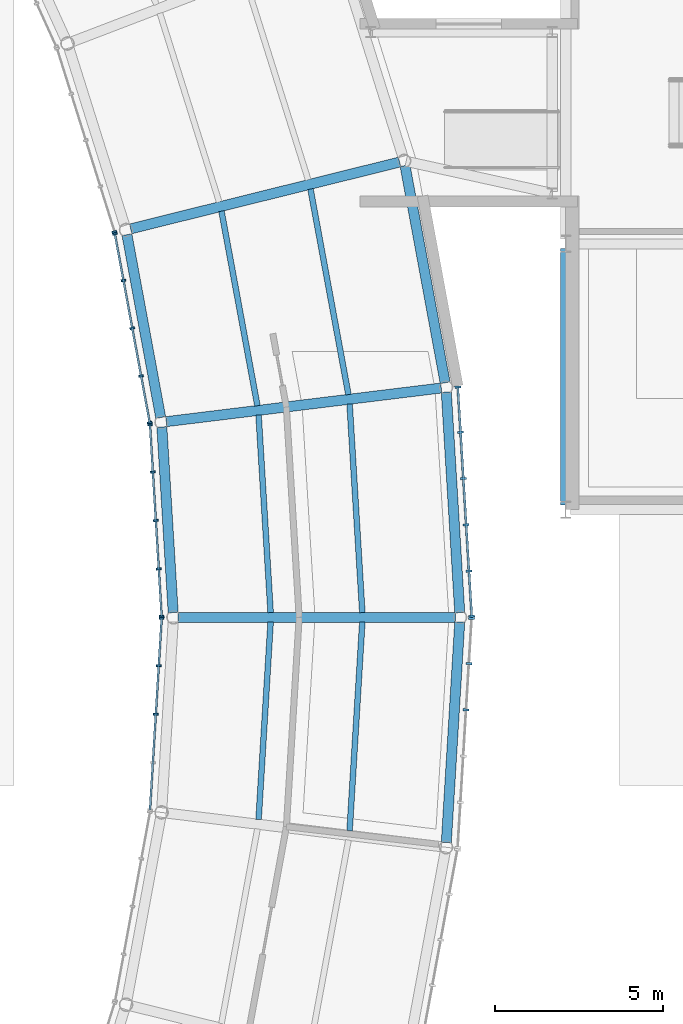
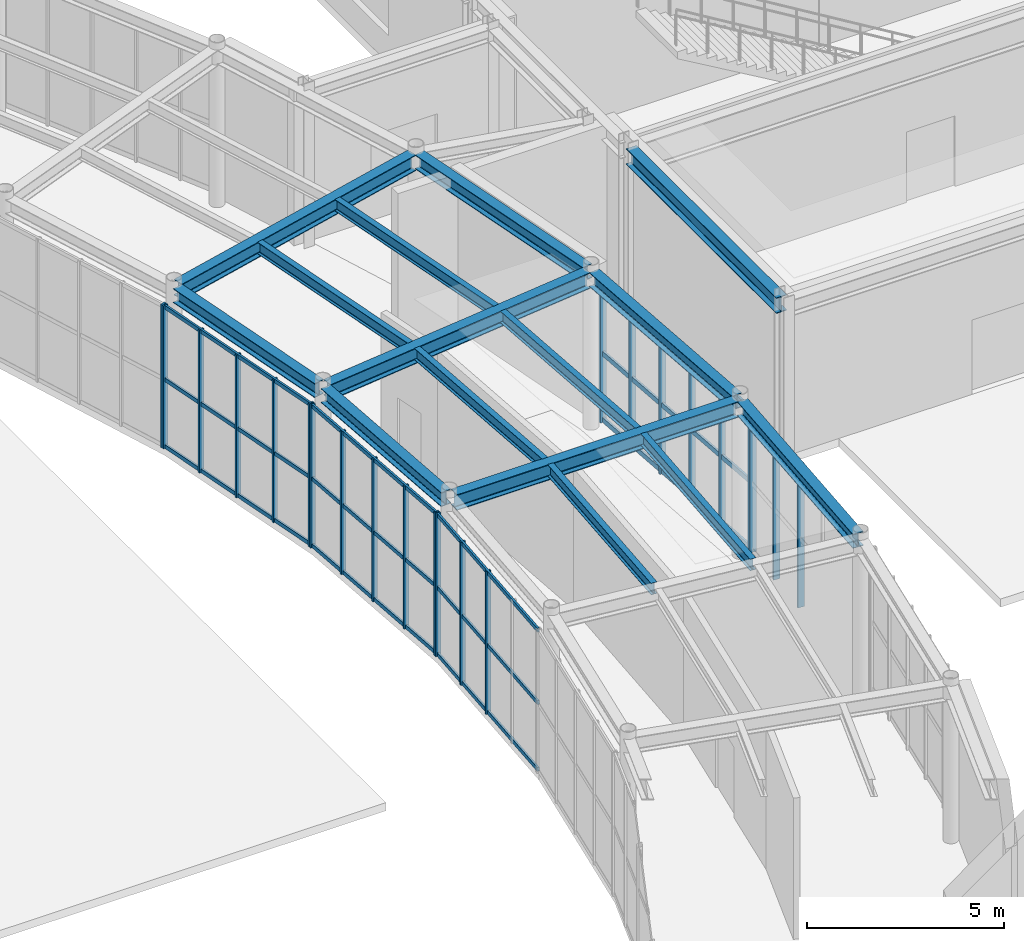
# One storey, part 38 of 97: 35 members, 15 beams, 6 elements without a shape of their own.
"""IFC4 building model written with IfcOpenShell, lengths in metres."""

from ifc_helpers import new_model, si_unit, direction, frame, origin, origin_2d, place, context, subcontext, project, spatial, rectangle, i_section, extrude, material, material_profile, profile_set, type_object, element, aggregate, save


model = new_model("IFC4")

# Units and contexts
model_context = context("Model", 3, precision=1e-05, world=origin(), true_north=direction((0.0, 1.0)))
body_context = subcontext(model_context, "Body", "Model", "MODEL_VIEW")
ifc_project = project(units=[si_unit("LENGTHUNIT", "METRE"), si_unit("AREAUNIT", "SQUARE_METRE"), si_unit("VOLUMEUNIT", "CUBIC_METRE"), si_unit("PLANEANGLEUNIT", "RADIAN"), si_unit("MASSUNIT", "GRAM", prefix="KILO")], contexts=[model_context])

# Site, building, storey
site_placement = place(None, origin())
site = spatial("IfcSite", under=ifc_project, at=site_placement, CompositionType="ELEMENT")
building_placement = place(site_placement, origin())
building = spatial("IfcBuilding", under=site, at=building_placement, Name="Varnklinge Art Gallery", CompositionType="ELEMENT")
storey_placement = place(building_placement, origin())
storey = spatial("IfcBuildingStorey", under=building, at=storey_placement, Name="L00", CompositionType="ELEMENT", Elevation=0.0)

# Beams
ifc_material_1 = material(Name="Steel S355", Category="steel")
ifc_material_profile_1 = material_profile(ifc_material_1, i_section(OverallWidth=0.300048828125, OverallDepth=0.489990234375, WebThickness=0.011962890625, FlangeThickness=0.02294921875, FilletRadius=0.027099609375, at=origin_2d()), Name="HEA 500")
ifc_profile_set_1 = profile_set([ifc_material_profile_1], Name="Steel S355")
beam_type_1 = type_object("IfcBeamType", Name="BM-07", PredefinedType="BEAM", material=ifc_profile_set_1)
for number, where, z_axis, x_axis, name in (
    (1, (111.118408203125, 55.0, 4.635009765625), (-1.0, 0.0, 0.0), (0.0, -1.0, 0.0), "L00 BM-07 BM-V2-L01-R07"),
    (2, (110.702880859375, 61.81640625, 4.635009765625), (-0.992595580805, -0.121466098009, 0.0), (0.121466098009, -0.992595580805, 0.0), "L00 BM-07 BM-V2-L01-R08"),
):
    element("IfcBeam", number, at=place(storey_placement, frame(where, z_axis=z_axis, x_axis=x_axis)), inside=storey, type_object=beam_type_1, Name=name, PredefinedType="BEAM", context=body_context, shape_type="SweptSolid", body=[
        extrude(i_section(OverallWidth=0.300048828125, OverallDepth=0.489990234375, WebThickness=0.011962890625, FlangeThickness=0.02294921875, FilletRadius=0.027099609375, at=origin_2d()), origin(), (0.0, 0.0, 1.0), 8.23681640625),
    ])
beam_1_placement = place(storey_placement, frame((109.46240234375, 68.531982421875, 4.635009765625), z_axis=(-0.970493677731, -0.241126567355, 0.0), x_axis=(0.241126567355, -0.970493677731, 0.0)))
element("IfcBeam", 3, at=beam_1_placement, inside=storey, type_object=beam_type_1, Name="L00 BM-07 BM-V2-L01-R09", PredefinedType="BEAM", context=body_context, shape_type="SweptSolid", body=[
    extrude(i_section(OverallWidth=0.300048828125, OverallDepth=0.489990234375, WebThickness=0.011962890625, FlangeThickness=0.02294921875, FilletRadius=0.027099609375, at=origin_2d()), origin(), (0.0, 0.0, 1.0), 8.236572265625),
])
ifc_material_2 = material(Name="Steel S355", Category="steel")
ifc_material_profile_2 = material_profile(ifc_material_2, i_section(OverallWidth=0.169921875, OverallDepth=0.360107421875, WebThickness=0.008056640625, FlangeThickness=0.0126953125, FilletRadius=0.01806640625, at=origin_2d()), Name="IPE 360")
ifc_profile_set_2 = profile_set([ifc_material_profile_2], Name="Steel S355")
beam_type_2 = type_object("IfcBeamType", Name="JST-06", PredefinedType="JOIST", material=ifc_profile_set_2)
beam_2_placement = place(storey_placement, frame((107.976318359375, 48.657958984375, 4.699951171875), z_axis=(0.060820084919, 0.998148745063, 0.0), x_axis=(-0.998148745063, 0.060820084919, 0.0)))
element("IfcBeam", 4, at=beam_2_placement, inside=storey, type_object=beam_type_2, Name="L00 JST-06 JST-V2-L01-06-1", PredefinedType="JOIST", context=body_context, shape_type="SweptSolid", body=[
    extrude(i_section(OverallWidth=0.169921875, OverallDepth=0.360107421875, WebThickness=0.008056640625, FlangeThickness=0.0126953125, FilletRadius=0.01806640625, at=origin_2d()), origin(), (0.0, 0.0, 1.0), 6.2138671875),
])
beam_3_placement = place(storey_placement, frame((105.27099609375, 48.989013671875, 4.699951171875), z_axis=(0.060845929193, 0.998147169961, 0.0), x_axis=(-0.998147169961, 0.060845929193, 0.0)))
element("IfcBeam", 5, at=beam_3_placement, inside=storey, type_object=beam_type_2, Name="L00 JST-06 JST-V2-L01-06-2", PredefinedType="JOIST", context=body_context, shape_type="SweptSolid", body=[
    extrude(i_section(OverallWidth=0.169921875, OverallDepth=0.360107421875, WebThickness=0.008056640625, FlangeThickness=0.0126953125, FilletRadius=0.01806640625, at=origin_2d()), origin(), (0.0, 0.0, 1.0), 5.88232421875),
])
beam_4_placement = place(storey_placement, frame((108.354248046875, 55.1396484375, 4.699951171875), z_axis=(-0.060820084919, 0.998148745063, 0.0), x_axis=(-0.998148745063, -0.060820084919, 0.0)))
element("IfcBeam", 6, at=beam_4_placement, inside=storey, type_object=beam_type_2, Name="L00 JST-06 JST-V2-L01-07-1", PredefinedType="JOIST", context=body_context, shape_type="SweptSolid", body=[
    extrude(i_section(OverallWidth=0.169921875, OverallDepth=0.360107421875, WebThickness=0.008056640625, FlangeThickness=0.0126953125, FilletRadius=0.01806640625, at=origin_2d()), origin(), (0.0, 0.0, 1.0), 6.2138671875),
])
beam_5_placement = place(storey_placement, frame((105.62890625, 55.1396484375, 4.699951171875), z_axis=(-0.060845929193, 0.998147169961, 0.0), x_axis=(-0.998147169961, -0.060845929193, 0.0)))
element("IfcBeam", 7, at=beam_5_placement, inside=storey, type_object=beam_type_2, Name="L00 JST-06 JST-V2-L01-07-2", PredefinedType="JOIST", context=body_context, shape_type="SweptSolid", body=[
    extrude(i_section(OverallWidth=0.169921875, OverallDepth=0.360107421875, WebThickness=0.008056640625, FlangeThickness=0.0126953125, FilletRadius=0.01806640625, at=origin_2d()), origin(), (0.0, 0.0, 1.0), 5.88232421875),
])
beam_6_placement = place(storey_placement, frame((107.942138671875, 61.619384765625, 4.699951171875), z_axis=(-0.181640421722, 0.983365017273, 0.0), x_axis=(-0.983365017273, -0.181640421722, 0.0)))
element("IfcBeam", 8, at=beam_6_placement, inside=storey, type_object=beam_type_2, Name="L00 JST-06 JST-V2-L01-08-1", PredefinedType="JOIST", context=body_context, shape_type="SweptSolid", body=[
    extrude(i_section(OverallWidth=0.169921875, OverallDepth=0.360107421875, WebThickness=0.008056640625, FlangeThickness=0.0126953125, FilletRadius=0.01806640625, at=origin_2d()), origin(), (0.0, 0.0, 1.0), 6.213623046875),
])
beam_7_placement = place(storey_placement, frame((105.23681640625, 61.288330078125, 4.699951171875), z_axis=(-0.181631460363, 0.983366672512, 0.0), x_axis=(-0.983366672512, -0.181631460363, 0.0)))
element("IfcBeam", 9, at=beam_7_placement, inside=storey, type_object=beam_type_2, Name="L00 JST-06 JST-V2-L01-08-2", PredefinedType="JOIST", context=body_context, shape_type="SweptSolid", body=[
    extrude(i_section(OverallWidth=0.169921875, OverallDepth=0.360107421875, WebThickness=0.008056640625, FlangeThickness=0.0126953125, FilletRadius=0.01806640625, at=origin_2d()), origin(), (0.0, 0.0, 1.0), 5.882080078125),
])

# Curtain wall, members
ifc_material_3 = material(Name="Anodised Aluminium", Category="aluminium")
curtain_wall_type_1 = type_object("IfcCurtainWallType", Name="CW-R01", PredefinedType="USERDEFINED", material=ifc_material_3)
curtain_wall_1_placement = place(storey_placement, origin())
curtain_wall_1 = element("IfcCurtainWall", 10, at=curtain_wall_1_placement, inside=storey, type_object=curtain_wall_type_1, Name="L00 Curtain Wall CW-V2O-L00-06", ObjectType="UNITISED CURTAIN WALL", PredefinedType="USERDEFINED")
ifc_material_4 = material(Name="Anodised Aluminium", Category="aluminium")
ifc_material_profile_3 = material_profile(ifc_material_4, rectangle(XDim=0.06494140625, YDim=0.179931640625, at=origin_2d()), Name="ALU 65x180")
ifc_profile_set_3 = profile_set([ifc_material_profile_3], Name="Anodised Aluminium")
member_type_1 = type_object("IfcMemberType", Name="MUL-01", PredefinedType="MULLION", material=ifc_profile_set_3)
member_1_placement = place(storey_placement, frame((111.44091796875, 52.24951171875, 0.0), z_axis=(0.0, 0.0, 1.0), x_axis=(0.06087433122, 0.9981454382, 0.0)))
member_1 = element("IfcMember", 11, at=member_1_placement, type_object=member_type_1, Name="CW-V2O-L00-06 Mullion 4", PredefinedType="MULLION", context=body_context, shape_type="SweptSolid", body=[
    extrude(rectangle(XDim=0.06494140625, YDim=0.179931640625, at=origin_2d()), origin(), (0.0, 0.0, 1.0), 4.429931640625),
])
member_2_placement = place(storey_placement, frame((111.524658203125, 53.624755859375, 0.0), z_axis=(0.0, 0.0, 1.0), x_axis=(0.06087433122, 0.9981454382, 0.0)))
member_2 = element("IfcMember", 12, at=member_2_placement, type_object=member_type_1, Name="CW-V2O-L00-06 Mullion 5", PredefinedType="MULLION", context=body_context, shape_type="SweptSolid", body=[
    extrude(rectangle(XDim=0.06494140625, YDim=0.179931640625, at=origin_2d()), origin(), (0.0, 0.0, 1.0), 4.429931640625),
])
member_3_placement = place(storey_placement, frame((111.6064453125, 54.967529296875, 0.0), z_axis=(0.0, 0.0, 1.0), x_axis=(0.06087433122, 0.9981454382, 0.0)))
member_3 = element("IfcMember", 13, at=member_3_placement, type_object=member_type_1, Name="CW-V2O-L00-06 Mullion 6", PredefinedType="MULLION", context=body_context, shape_type="SweptSolid", body=[
    extrude(rectangle(XDim=0.06494140625, YDim=0.179931640625, at=origin_2d()), origin(), (0.0, 0.0, 1.0), 4.429931640625),
])
aggregate(curtain_wall_1, [member_1, member_2, member_3])

curtain_wall_2_placement = place(storey_placement, origin())
curtain_wall_2 = element("IfcCurtainWall", 14, at=curtain_wall_2_placement, inside=storey, type_object=curtain_wall_type_1, Name="L00 Curtain Wall CW-V2O-L00-07", ObjectType="UNITISED CURTAIN WALL", PredefinedType="USERDEFINED")
member_4_placement = place(storey_placement, frame((111.6064453125, 55.032470703125, 0.0), z_axis=(0.0, 0.0, 1.0), x_axis=(-0.06087433122, 0.9981454382, 0.0)))
member_4 = element("IfcMember", 15, at=member_4_placement, type_object=member_type_1, Name="CW-V2O-L00-07 Mullion 1", PredefinedType="MULLION", context=body_context, shape_type="SweptSolid", body=[
    extrude(rectangle(XDim=0.06494140625, YDim=0.179931640625, at=origin_2d()), origin(), (0.0, 0.0, 1.0), 4.429931640625),
])
member_5_placement = place(storey_placement, frame((111.524658203125, 56.375244140625, 0.0), z_axis=(0.0, 0.0, 1.0), x_axis=(-0.06087433122, 0.9981454382, 0.0)))
member_5 = element("IfcMember", 16, at=member_5_placement, type_object=member_type_1, Name="CW-V2O-L00-07 Mullion 2", PredefinedType="MULLION", context=body_context, shape_type="SweptSolid", body=[
    extrude(rectangle(XDim=0.06494140625, YDim=0.179931640625, at=origin_2d()), origin(), (0.0, 0.0, 1.0), 4.429931640625),
])
member_6_placement = place(storey_placement, frame((111.44091796875, 57.75048828125, 0.0), z_axis=(0.0, 0.0, 1.0), x_axis=(-0.06087433122, 0.9981454382, 0.0)))
member_6 = element("IfcMember", 17, at=member_6_placement, type_object=member_type_1, Name="CW-V2O-L00-07 Mullion 3", PredefinedType="MULLION", context=body_context, shape_type="SweptSolid", body=[
    extrude(rectangle(XDim=0.06494140625, YDim=0.179931640625, at=origin_2d()), origin(), (0.0, 0.0, 1.0), 4.429931640625),
])
member_7_placement = place(storey_placement, frame((111.35693359375, 59.12548828125, 0.0), z_axis=(0.0, 0.0, 1.0), x_axis=(-0.06087433122, 0.9981454382, 0.0)))
member_7 = element("IfcMember", 18, at=member_7_placement, type_object=member_type_1, Name="CW-V2O-L00-07 Mullion 4", PredefinedType="MULLION", context=body_context, shape_type="SweptSolid", body=[
    extrude(rectangle(XDim=0.06494140625, YDim=0.179931640625, at=origin_2d()), origin(), (0.0, 0.0, 1.0), 4.429931640625),
])
member_8_placement = place(storey_placement, frame((111.273193359375, 60.500732421875, 0.0), z_axis=(0.0, 0.0, 1.0), x_axis=(-0.06087433122, 0.9981454382, 0.0)))
member_8 = element("IfcMember", 19, at=member_8_placement, type_object=member_type_1, Name="CW-V2O-L00-07 Mullion 5", PredefinedType="MULLION", context=body_context, shape_type="SweptSolid", body=[
    extrude(rectangle(XDim=0.06494140625, YDim=0.179931640625, at=origin_2d()), origin(), (0.0, 0.0, 1.0), 4.429931640625),
])
member_9_placement = place(storey_placement, frame((111.19140625, 61.843505859375, 0.0), z_axis=(0.0, 0.0, 1.0), x_axis=(-0.06087433122, 0.9981454382, 0.0)))
member_9 = element("IfcMember", 20, at=member_9_placement, type_object=member_type_1, Name="CW-V2O-L00-07 Mullion 6", PredefinedType="MULLION", context=body_context, shape_type="SweptSolid", body=[
    extrude(rectangle(XDim=0.06494140625, YDim=0.179931640625, at=origin_2d()), origin(), (0.0, 0.0, 1.0), 4.429931640625),
])

ifc_material_5 = material(Name="Anodised Aluminium", Category="aluminium")
curtain_wall_type_2 = type_object("IfcCurtainWallType", Name="CW-R03", PredefinedType="USERDEFINED", material=ifc_material_5)
curtain_wall_3_placement = place(storey_placement, origin())
curtain_wall_3 = element("IfcCurtainWall", 21, at=curtain_wall_3_placement, inside=storey, type_object=curtain_wall_type_2, Name="L00 Curtain Wall CW-V2I-L00-06", ObjectType="UNITISED CURTAIN WALL", PredefinedType="USERDEFINED")
ifc_material_6 = material(Name="Anodised Aluminium", Category="aluminium")
ifc_material_profile_4 = material_profile(ifc_material_6, rectangle(XDim=0.06005859375, YDim=0.139892578125, at=origin_2d()), Name="ALU 60x140")
ifc_profile_set_4 = profile_set([ifc_material_profile_4], Name="Anodised Aluminium")
member_type_2 = type_object("IfcMemberType", Name="MUL-03", PredefinedType="MULLION", material=ifc_profile_set_4)
member_10_placement = place(storey_placement, frame((102.3896484375, 54.97021484375, 0.0), z_axis=(0.0, 0.0, 1.0), x_axis=(-0.06087433122, -0.9981454382, 0.0)))
member_10 = element("IfcMember", 22, at=member_10_placement, type_object=member_type_2, Name="CW-V2I-L00-06 Mullion 1", PredefinedType="MULLION", context=body_context, shape_type="SweptSolid", body=[
    extrude(rectangle(XDim=0.06005859375, YDim=0.139892578125, at=origin_2d()), origin(), (0.0, 0.0, 1.0), 4.429931640625),
])
member_11_placement = place(storey_placement, frame((102.3037109375, 53.560791015625, 0.0), z_axis=(0.0, 0.0, 1.0), x_axis=(-0.06087433122, -0.9981454382, 0.0)))
member_11 = element("IfcMember", 23, at=member_11_placement, type_object=member_type_2, Name="CW-V2I-L00-06 Mullion 2", PredefinedType="MULLION", context=body_context, shape_type="SweptSolid", body=[
    extrude(rectangle(XDim=0.06005859375, YDim=0.139892578125, at=origin_2d()), origin(), (0.0, 0.0, 1.0), 4.429931640625),
])
member_12_placement = place(storey_placement, frame((102.216064453125, 52.121826171875, 0.0), z_axis=(0.0, 0.0, 1.0), x_axis=(-0.06087433122, -0.9981454382, 0.0)))
member_12 = element("IfcMember", 24, at=member_12_placement, type_object=member_type_2, Name="CW-V2I-L00-06 Mullion 3", PredefinedType="MULLION", context=body_context, shape_type="SweptSolid", body=[
    extrude(rectangle(XDim=0.06005859375, YDim=0.139892578125, at=origin_2d()), origin(), (0.0, 0.0, 1.0), 4.429931640625),
])

curtain_wall_4_placement = place(storey_placement, origin())
curtain_wall_4 = element("IfcCurtainWall", 25, at=curtain_wall_4_placement, inside=storey, type_object=curtain_wall_type_2, Name="L00 Curtain Wall CW-V2I-L00-07", ObjectType="UNITISED CURTAIN WALL", PredefinedType="USERDEFINED")
member_13_placement = place(storey_placement, frame((102.04248046875, 60.7265625, 0.0), z_axis=(0.0, 0.0, 1.0), x_axis=(0.06087433122, -0.9981454382, 0.0)))
member_13 = element("IfcMember", 26, at=member_13_placement, type_object=member_type_2, Name="CW-V2I-L00-07 Mullion 1", PredefinedType="MULLION", context=body_context, shape_type="SweptSolid", body=[
    extrude(rectangle(XDim=0.06005859375, YDim=0.139892578125, at=origin_2d()), origin(), (0.0, 0.0, 1.0), 4.429931640625),
])
member_14_placement = place(storey_placement, frame((102.12841796875, 59.3173828125, 0.0), z_axis=(0.0, 0.0, 1.0), x_axis=(0.06087433122, -0.9981454382, 0.0)))
member_14 = element("IfcMember", 27, at=member_14_placement, type_object=member_type_2, Name="CW-V2I-L00-07 Mullion 2", PredefinedType="MULLION", context=body_context, shape_type="SweptSolid", body=[
    extrude(rectangle(XDim=0.06005859375, YDim=0.139892578125, at=origin_2d()), origin(), (0.0, 0.0, 1.0), 4.429931640625),
])
member_15_placement = place(storey_placement, frame((102.216064453125, 57.878173828125, 0.0), z_axis=(0.0, 0.0, 1.0), x_axis=(0.06087433122, -0.9981454382, 0.0)))
member_15 = element("IfcMember", 28, at=member_15_placement, type_object=member_type_2, Name="CW-V2I-L00-07 Mullion 3", PredefinedType="MULLION", context=body_context, shape_type="SweptSolid", body=[
    extrude(rectangle(XDim=0.06005859375, YDim=0.139892578125, at=origin_2d()), origin(), (0.0, 0.0, 1.0), 4.429931640625),
])
member_16_placement = place(storey_placement, frame((102.3037109375, 56.439208984375, 0.0), z_axis=(0.0, 0.0, 1.0), x_axis=(0.06087433122, -0.9981454382, 0.0)))
member_16 = element("IfcMember", 29, at=member_16_placement, type_object=member_type_2, Name="CW-V2I-L00-07 Mullion 4", PredefinedType="MULLION", context=body_context, shape_type="SweptSolid", body=[
    extrude(rectangle(XDim=0.06005859375, YDim=0.139892578125, at=origin_2d()), origin(), (0.0, 0.0, 1.0), 4.429931640625),
])
member_17_placement = place(storey_placement, frame((102.3896484375, 55.02978515625, 0.0), z_axis=(0.0, 0.0, 1.0), x_axis=(0.06087433122, -0.9981454382, 0.0)))
member_17 = element("IfcMember", 30, at=member_17_placement, type_object=member_type_2, Name="CW-V2I-L00-07 Mullion 5", PredefinedType="MULLION", context=body_context, shape_type="SweptSolid", body=[
    extrude(rectangle(XDim=0.06005859375, YDim=0.139892578125, at=origin_2d()), origin(), (0.0, 0.0, 1.0), 4.429931640625),
])

curtain_wall_5_placement = place(storey_placement, origin())
curtain_wall_5 = element("IfcCurtainWall", 31, at=curtain_wall_5_placement, inside=storey, type_object=curtain_wall_type_2, Name="L00 Curtain Wall CW-V2I-L00-08", ObjectType="UNITISED CURTAIN WALL", PredefinedType="USERDEFINED")
member_18_placement = place(storey_placement, frame((100.99853515625, 66.398193359375, 0.0), z_axis=(0.0, 0.0, 1.0), x_axis=(0.181549039717, -0.983381892338, 0.0)))
member_18 = element("IfcMember", 32, at=member_18_placement, type_object=member_type_2, Name="CW-V2I-L00-08 Mullion 1", PredefinedType="MULLION", context=body_context, shape_type="SweptSolid", body=[
    extrude(rectangle(XDim=0.06005859375, YDim=0.139892578125, at=origin_2d()), origin(), (0.0, 0.0, 1.0), 4.429931640625),
])
member_19_placement = place(storey_placement, frame((101.2548828125, 65.009765625, 0.0), z_axis=(0.0, 0.0, 1.0), x_axis=(0.181549039717, -0.983381892338, 0.0)))
member_19 = element("IfcMember", 33, at=member_19_placement, type_object=member_type_2, Name="CW-V2I-L00-08 Mullion 2", PredefinedType="MULLION", context=body_context, shape_type="SweptSolid", body=[
    extrude(rectangle(XDim=0.06005859375, YDim=0.139892578125, at=origin_2d()), origin(), (0.0, 0.0, 1.0), 4.429931640625),
])
member_20_placement = place(storey_placement, frame((101.516845703125, 63.592041015625, 0.0), z_axis=(0.0, 0.0, 1.0), x_axis=(0.181549039717, -0.983381892338, 0.0)))
member_20 = element("IfcMember", 34, at=member_20_placement, type_object=member_type_2, Name="CW-V2I-L00-08 Mullion 3", PredefinedType="MULLION", context=body_context, shape_type="SweptSolid", body=[
    extrude(rectangle(XDim=0.06005859375, YDim=0.139892578125, at=origin_2d()), origin(), (0.0, 0.0, 1.0), 4.429931640625),
])
member_21_placement = place(storey_placement, frame((101.77880859375, 62.17431640625, 0.0), z_axis=(0.0, 0.0, 1.0), x_axis=(0.181549039717, -0.983381892338, 0.0)))
member_21 = element("IfcMember", 35, at=member_21_placement, type_object=member_type_2, Name="CW-V2I-L00-08 Mullion 4", PredefinedType="MULLION", context=body_context, shape_type="SweptSolid", body=[
    extrude(rectangle(XDim=0.06005859375, YDim=0.139892578125, at=origin_2d()), origin(), (0.0, 0.0, 1.0), 4.429931640625),
])
member_22_placement = place(storey_placement, frame((102.03515625, 60.785888671875, 0.0), z_axis=(0.0, 0.0, 1.0), x_axis=(0.181549039717, -0.983381892338, 0.0)))
member_22 = element("IfcMember", 36, at=member_22_placement, type_object=member_type_2, Name="CW-V2I-L00-08 Mullion 5", PredefinedType="MULLION", context=body_context, shape_type="SweptSolid", body=[
    extrude(rectangle(XDim=0.06005859375, YDim=0.139892578125, at=origin_2d()), origin(), (0.0, 0.0, 1.0), 4.429931640625),
])

# Curtain wall, member
curtain_wall_6_placement = place(storey_placement, origin())
curtain_wall_6 = element("IfcCurtainWall", 37, at=curtain_wall_6_placement, inside=storey, type_object=curtain_wall_type_2, Name="L00 Curtain Wall CW-V2I-L00-09", ObjectType="UNITISED CURTAIN WALL", PredefinedType="USERDEFINED")
member_23_placement = place(storey_placement, frame((100.984130859375, 66.456298828125, 0.0), z_axis=(0.0, 0.0, 1.0), x_axis=(0.299706904751, -0.954031326134, 0.0)))
member_23 = element("IfcMember", 38, at=member_23_placement, type_object=member_type_2, Name="CW-V2I-L00-09 Mullion 5", PredefinedType="MULLION", context=body_context, shape_type="SweptSolid", body=[
    extrude(rectangle(XDim=0.06005859375, YDim=0.139892578125, at=origin_2d()), origin(), (0.0, 0.0, 1.0), 4.429931640625),
])
aggregate(curtain_wall_6, [member_23])

# Beams
ifc_material_7 = material(Name="Steel S355", Category="steel")
ifc_material_profile_5 = material_profile(ifc_material_7, i_section(OverallWidth=0.300048828125, OverallDepth=0.489990234375, WebThickness=0.011962890625, FlangeThickness=0.02294921875, FilletRadius=0.027099609375, at=origin_2d()), Name="HEA 500")
ifc_profile_set_5 = profile_set([ifc_material_profile_5], Name="Steel S355")
beam_type_3 = type_object("IfcBeamType", Name="SPB-01", PredefinedType="SPANDREL", material=ifc_profile_set_5)
beam_8_placement = place(storey_placement, frame((114.39990234375, 58.340087890625, 4.635009765625), z_axis=(0.0, 1.0, 0.0), x_axis=(-1.0, 0.0, 0.0)))
element("IfcBeam", 39, at=beam_8_placement, inside=storey, type_object=beam_type_3, Name="L00 SPB-01 BM-V1-L01-Y0-0", PredefinedType="SPANDREL", context=body_context, shape_type="SweptSolid", body=[
    extrude(i_section(OverallWidth=0.300048828125, OverallDepth=0.489990234375, WebThickness=0.011962890625, FlangeThickness=0.02294921875, FilletRadius=0.027099609375, at=origin_2d()), origin(), (0.0, 0.0, 1.0), 7.619873046875),
])
ifc_material_8 = material(Name="Steel S355", Category="steel")
ifc_material_profile_6 = material_profile(ifc_material_8, i_section(OverallWidth=0.300048828125, OverallDepth=0.43994140625, WebThickness=0.011474609375, FlangeThickness=0.02099609375, FilletRadius=0.027099609375, at=origin_2d()), Name="HEA 450")
ifc_profile_set_6 = profile_set([ifc_material_profile_6], Name="Steel S355")
beam_type_4 = type_object("IfcBeamType", Name="SPB-02", PredefinedType="SPANDREL", material=ifc_profile_set_6)
for number, where, z_axis, x_axis, name in (
    (40, (110.8505859375, 48.30615234375, 4.659912109375), (0.060827334582, 0.998148303293, 0.0), (-0.998148303293, 0.060827334582, 0.0), "L00 SPB-02 BM-V2-L01-O06"),
    (41, (111.25, 55.1396484375, 4.659912109375), (-0.060827334582, 0.998148303293, 0.0), (-0.998148303293, -0.060827334582, 0.0), "L00 SPB-02 BM-V2-L01-O07"),
):
    element("IfcBeam", number, at=place(storey_placement, frame(where, z_axis=z_axis, x_axis=x_axis)), inside=storey, type_object=beam_type_4, Name=name, PredefinedType="SPANDREL", context=body_context, shape_type="SweptSolid", body=[
        extrude(i_section(OverallWidth=0.300048828125, OverallDepth=0.43994140625, WebThickness=0.011474609375, FlangeThickness=0.02099609375, FilletRadius=0.027099609375, at=origin_2d()), origin(), (0.0, 0.0, 1.0), 6.56640625),
    ])
beam_9_placement = place(storey_placement, frame((102.73291015625, 55.1396484375, 4.659912109375), z_axis=(-0.06083896784, 0.998147594293, 0.0), x_axis=(-0.998147594293, -0.06083896784, 0.0)))
element("IfcBeam", 42, at=beam_9_placement, inside=storey, type_object=beam_type_4, Name="L00 SPB-02 BM-V2-L01-I07", PredefinedType="SPANDREL", context=body_context, shape_type="SweptSolid", body=[
    extrude(i_section(OverallWidth=0.300048828125, OverallDepth=0.43994140625, WebThickness=0.011474609375, FlangeThickness=0.02099609375, FilletRadius=0.027099609375, at=origin_2d()), origin(), (0.0, 0.0, 1.0), 5.52978515625),
])
beam_10_placement = place(storey_placement, frame((110.816650390625, 61.97119140625, 4.659912109375), z_axis=(-0.181672496831, 0.983359092039, 0.0), x_axis=(-0.983359092039, -0.181672496831, 0.0)))
element("IfcBeam", 43, at=beam_10_placement, inside=storey, type_object=beam_type_4, Name="L00 SPB-02 BM-V2-L01-O08", PredefinedType="SPANDREL", context=body_context, shape_type="SweptSolid", body=[
    extrude(i_section(OverallWidth=0.300048828125, OverallDepth=0.43994140625, WebThickness=0.011474609375, FlangeThickness=0.02099609375, FilletRadius=0.027099609375, at=origin_2d()), origin(), (0.0, 0.0, 1.0), 6.566162109375),
])
beam_11_placement = place(storey_placement, frame((102.362548828125, 60.9365234375, 4.659912109375), z_axis=(-0.181635496942, 0.983365926932, 0.0), x_axis=(-0.983365926932, -0.181635496942, 0.0)))
element("IfcBeam", 44, at=beam_11_placement, inside=storey, type_object=beam_type_4, Name="L00 SPB-02 BM-V2-L01-I08", PredefinedType="SPANDREL", context=body_context, shape_type="SweptSolid", body=[
    extrude(i_section(OverallWidth=0.300048828125, OverallDepth=0.43994140625, WebThickness=0.011474609375, FlangeThickness=0.02099609375, FilletRadius=0.027099609375, at=origin_2d()), origin(), (0.0, 0.0, 1.0), 5.52978515625),
])

# Member
ifc_material_9 = material(Name="Anodised Aluminium", Category="aluminium")
ifc_material_profile_7 = material_profile(ifc_material_9, rectangle(XDim=0.06494140625, YDim=0.14990234375, at=origin_2d()), Name="ALU 65x150")
ifc_profile_set_7 = profile_set([ifc_material_profile_7], Name="Anodised Aluminium")
member_type_3 = type_object("IfcMemberType", Name="TRN-01", PredefinedType="USERDEFINED", material=ifc_profile_set_7)
member_24_placement = place(storey_placement, frame((111.6064453125, 55.032470703125, 0.074951171875), z_axis=(-0.060823446783, 0.998148540209, 0.0), x_axis=(-0.998148540209, -0.060823446783, 0.0)))
member_24 = element("IfcMember", 45, at=member_24_placement, type_object=member_type_3, Name="CW-V2O-L00-07 Transom 1", ObjectType="TRANSOM", PredefinedType="USERDEFINED", context=body_context, shape_type="SweptSolid", body=[
    extrude(rectangle(XDim=0.06494140625, YDim=0.14990234375, at=origin_2d()), origin(), (0.0, 0.0, 1.0), 6.82373046875),
])

member_25_placement = place(storey_placement, frame((111.6064453125, 55.032470703125, 2.12646484375), z_axis=(-0.060823446783, 0.998148540209, 0.0), x_axis=(-0.998148540209, -0.060823446783, 0.0)))
member_25 = element("IfcMember", 46, at=member_25_placement, type_object=member_type_3, Name="CW-V2O-L00-07 Transom 2", ObjectType="TRANSOM", PredefinedType="USERDEFINED", context=body_context, shape_type="SweptSolid", body=[
    extrude(rectangle(XDim=0.06494140625, YDim=0.14990234375, at=origin_2d()), origin(), (0.0, 0.0, 1.0), 6.82373046875),
])

member_26_placement = place(storey_placement, frame((111.6064453125, 55.032470703125, 4.35498046875), z_axis=(-0.060823446783, 0.998148540209, 0.0), x_axis=(-0.998148540209, -0.060823446783, 0.0)))
member_26 = element("IfcMember", 47, at=member_26_placement, type_object=member_type_3, Name="CW-V2O-L00-07 Transom 3", ObjectType="TRANSOM", PredefinedType="USERDEFINED", context=body_context, shape_type="SweptSolid", body=[
    extrude(rectangle(XDim=0.06494140625, YDim=0.14990234375, at=origin_2d()), origin(), (0.0, 0.0, 1.0), 6.82373046875),
])

aggregate(curtain_wall_2, [member_4, member_5, member_6, member_7, member_8, member_9, member_24, member_25, member_26])

ifc_material_10 = material(Name="Anodised Aluminium", Category="aluminium")
ifc_material_profile_8 = material_profile(ifc_material_10, rectangle(XDim=0.06005859375, YDim=0.1201171875, at=origin_2d()), Name="ALU 60x120")
ifc_profile_set_8 = profile_set([ifc_material_profile_8], Name="Anodised Aluminium")
member_type_4 = type_object("IfcMemberType", Name="TRN-02", PredefinedType="USERDEFINED", material=ifc_profile_set_8)
member_27_placement = place(storey_placement, frame((102.3896484375, 54.97021484375, 0.06005859375), z_axis=(-0.060828268038, -0.998148246408, 0.0), x_axis=(0.998148246408, -0.060828268038, 0.0)))
member_27 = element("IfcMember", 48, at=member_27_placement, type_object=member_type_4, Name="CW-V2I-L00-06 Transom 1", ObjectType="TRANSOM", PredefinedType="USERDEFINED", context=body_context, shape_type="SweptSolid", body=[
    extrude(rectangle(XDim=0.06005859375, YDim=0.1201171875, at=origin_2d()), origin(), (0.0, 0.0, 1.0), 5.707275390625),
])

member_28_placement = place(storey_placement, frame((102.3896484375, 54.97021484375, 2.12646484375), z_axis=(-0.060828268038, -0.998148246408, 0.0), x_axis=(0.998148246408, -0.060828268038, 0.0)))
member_28 = element("IfcMember", 49, at=member_28_placement, type_object=member_type_4, Name="CW-V2I-L00-06 Transom 2", ObjectType="TRANSOM", PredefinedType="USERDEFINED", context=body_context, shape_type="SweptSolid", body=[
    extrude(rectangle(XDim=0.06005859375, YDim=0.1201171875, at=origin_2d()), origin(), (0.0, 0.0, 1.0), 5.707275390625),
])

member_29_placement = place(storey_placement, frame((102.3896484375, 54.97021484375, 4.3701171875), z_axis=(-0.060828268038, -0.998148246408, 0.0), x_axis=(0.998148246408, -0.060828268038, 0.0)))
member_29 = element("IfcMember", 50, at=member_29_placement, type_object=member_type_4, Name="CW-V2I-L00-06 Transom 3", ObjectType="TRANSOM", PredefinedType="USERDEFINED", context=body_context, shape_type="SweptSolid", body=[
    extrude(rectangle(XDim=0.06005859375, YDim=0.1201171875, at=origin_2d()), origin(), (0.0, 0.0, 1.0), 5.707275390625),
])

aggregate(curtain_wall_3, [member_10, member_11, member_12, member_27, member_28, member_29])

member_30_placement = place(storey_placement, frame((102.04248046875, 60.7265625, 0.06005859375), z_axis=(0.060828268038, -0.998148246408, 0.0), x_axis=(0.998148246408, 0.060828268038, 0.0)))
member_30 = element("IfcMember", 51, at=member_30_placement, type_object=member_type_4, Name="CW-V2I-L00-07 Transom 1", ObjectType="TRANSOM", PredefinedType="USERDEFINED", context=body_context, shape_type="SweptSolid", body=[
    extrude(rectangle(XDim=0.06005859375, YDim=0.1201171875, at=origin_2d()), origin(), (0.0, 0.0, 1.0), 5.707275390625),
])

member_31_placement = place(storey_placement, frame((102.04248046875, 60.7265625, 2.12646484375), z_axis=(0.060828268038, -0.998148246408, 0.0), x_axis=(0.998148246408, 0.060828268038, 0.0)))
member_31 = element("IfcMember", 52, at=member_31_placement, type_object=member_type_4, Name="CW-V2I-L00-07 Transom 2", ObjectType="TRANSOM", PredefinedType="USERDEFINED", context=body_context, shape_type="SweptSolid", body=[
    extrude(rectangle(XDim=0.06005859375, YDim=0.1201171875, at=origin_2d()), origin(), (0.0, 0.0, 1.0), 5.707275390625),
])

member_32_placement = place(storey_placement, frame((102.04248046875, 60.7265625, 4.3701171875), z_axis=(0.060828268038, -0.998148246408, 0.0), x_axis=(0.998148246408, 0.060828268038, 0.0)))
member_32 = element("IfcMember", 53, at=member_32_placement, type_object=member_type_4, Name="CW-V2I-L00-07 Transom 3", ObjectType="TRANSOM", PredefinedType="USERDEFINED", context=body_context, shape_type="SweptSolid", body=[
    extrude(rectangle(XDim=0.06005859375, YDim=0.1201171875, at=origin_2d()), origin(), (0.0, 0.0, 1.0), 5.707275390625),
])

aggregate(curtain_wall_4, [member_13, member_14, member_15, member_16, member_17, member_30, member_31, member_32])

member_33_placement = place(storey_placement, frame((100.99853515625, 66.398193359375, 0.06005859375), z_axis=(0.181632759384, -0.983366432577, 0.0), x_axis=(0.983366432577, 0.181632759384, 0.0)))
member_33 = element("IfcMember", 54, at=member_33_placement, type_object=member_type_4, Name="CW-V2I-L00-08 Transom 1", ObjectType="TRANSOM", PredefinedType="USERDEFINED", context=body_context, shape_type="SweptSolid", body=[
    extrude(rectangle(XDim=0.06005859375, YDim=0.1201171875, at=origin_2d()), origin(), (0.0, 0.0, 1.0), 5.707275390625),
])

member_34_placement = place(storey_placement, frame((100.99853515625, 66.398193359375, 2.12646484375), z_axis=(0.181632759384, -0.983366432577, 0.0), x_axis=(0.983366432577, 0.181632759384, 0.0)))
member_34 = element("IfcMember", 55, at=member_34_placement, type_object=member_type_4, Name="CW-V2I-L00-08 Transom 2", ObjectType="TRANSOM", PredefinedType="USERDEFINED", context=body_context, shape_type="SweptSolid", body=[
    extrude(rectangle(XDim=0.06005859375, YDim=0.1201171875, at=origin_2d()), origin(), (0.0, 0.0, 1.0), 5.707275390625),
])

member_35_placement = place(storey_placement, frame((100.99853515625, 66.398193359375, 4.3701171875), z_axis=(0.181632759384, -0.983366432577, 0.0), x_axis=(0.983366432577, 0.181632759384, 0.0)))
member_35 = element("IfcMember", 56, at=member_35_placement, type_object=member_type_4, Name="CW-V2I-L00-08 Transom 3", ObjectType="TRANSOM", PredefinedType="USERDEFINED", context=body_context, shape_type="SweptSolid", body=[
    extrude(rectangle(XDim=0.06005859375, YDim=0.1201171875, at=origin_2d()), origin(), (0.0, 0.0, 1.0), 5.707275390625),
])

aggregate(curtain_wall_5, [member_18, member_19, member_20, member_21, member_22, member_33, member_34, member_35])

save(model, "model.ifc")
